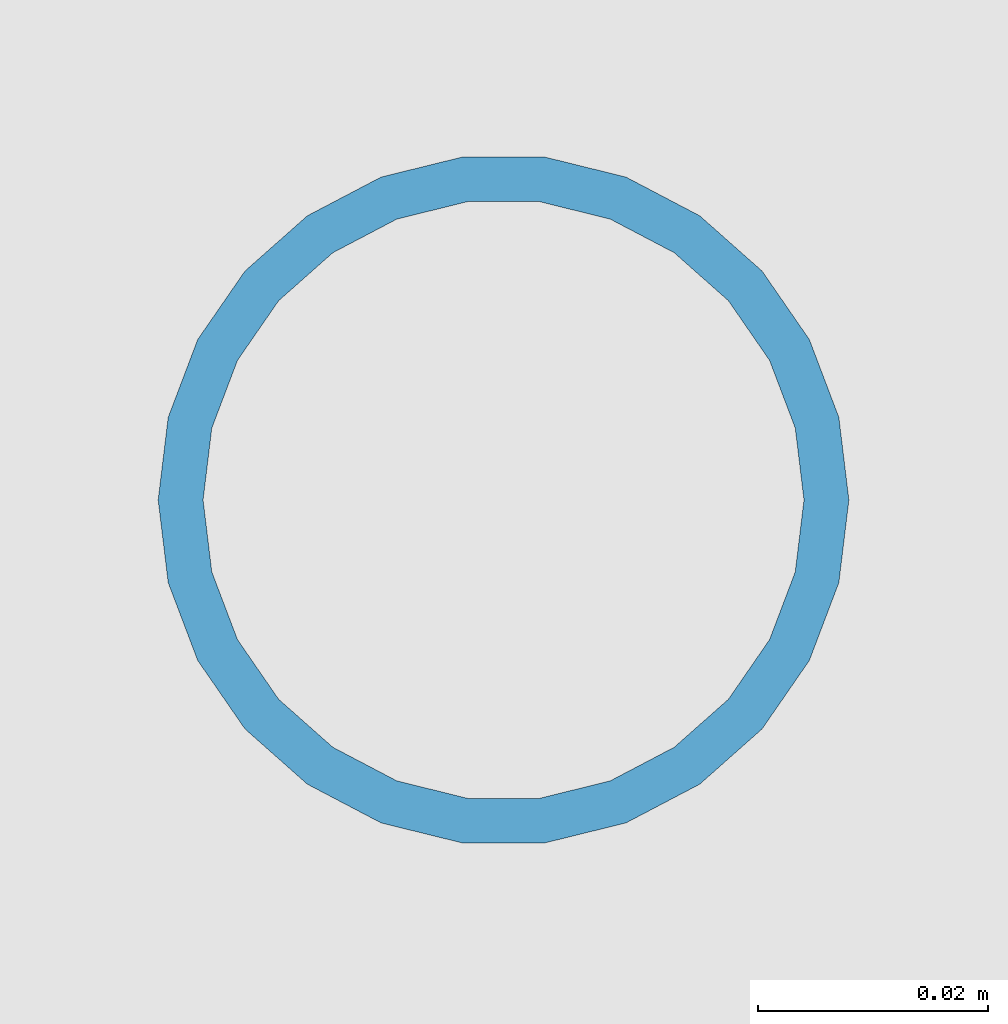
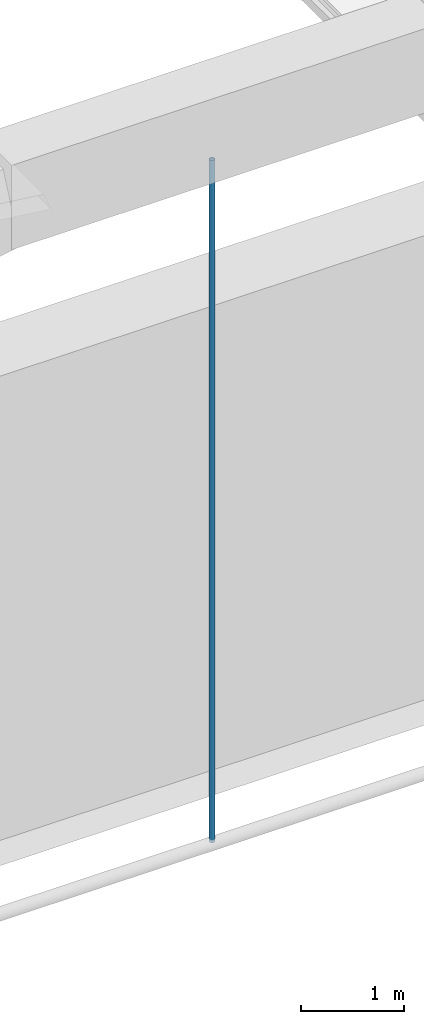
# One storey, part 33 of 94: 1 member.
"""IFC4 building model written with IfcOpenShell, lengths in metres."""

from ifc_helpers import new_model, si_unit, direction, frame, origin, origin_2d, place, context, subcontext, project, spatial, hollow_circle, extrude, material, material_profile, profile_set, type_object, element, save


model = new_model("IFC4")

# Units and contexts
model_context = context("Model", 3, precision=1e-05, world=origin(), true_north=direction((0.0, 1.0)))
body_context = subcontext(model_context, "Body", "Model", "MODEL_VIEW")
ifc_project = project(units=[si_unit("LENGTHUNIT", "METRE"), si_unit("AREAUNIT", "SQUARE_METRE"), si_unit("VOLUMEUNIT", "CUBIC_METRE"), si_unit("PLANEANGLEUNIT", "RADIAN"), si_unit("MASSUNIT", "GRAM", prefix="KILO")], contexts=[model_context])

# Site, building, storey
site_placement = place(None, origin())
site = spatial("IfcSite", under=ifc_project, at=site_placement, CompositionType="ELEMENT")
building_placement = place(site_placement, origin())
building = spatial("IfcBuilding", under=site, at=building_placement, Name="Lunette Opera House", CompositionType="ELEMENT")
storey_placement = place(building_placement, frame((0.0, 0.0, 22.5)))
storey = spatial("IfcBuildingStorey", under=building, at=storey_placement, Name="L04", CompositionType="ELEMENT", Elevation=22.5)

# Member
ifc_material = material(Name="Steel S355", Category="steel")
ifc_material_profile = material_profile(ifc_material, hollow_circle(Radius=0.030029296875, WallThickness=0.00390625, at=origin_2d()), Name="CHS 60.3X4")
ifc_profile_set = profile_set([ifc_material_profile], Name="Steel S355")
member_type = type_object("IfcMemberType", Name="CHS 60.3X4", PredefinedType="POST", material=ifc_profile_set)
member_placement = place(storey_placement, frame((96.0, 90.785888671875, 2.72998046875), z_axis=(0.0, 0.0, 1.0), x_axis=(1.0, 0.0, 0.0)))
element("IfcMember", 1, at=member_placement, inside=storey, type_object=member_type, Name="mem-AU-L04-HG7-96", PredefinedType="POST", context=body_context, shape_type="SweptSolid", body=[
    extrude(hollow_circle(Radius=0.030029296875, WallThickness=0.00390625, at=origin_2d()), origin(), (0.0, 0.0, 1.0), 8.08203125),
])

save(model, "model.ifc")
